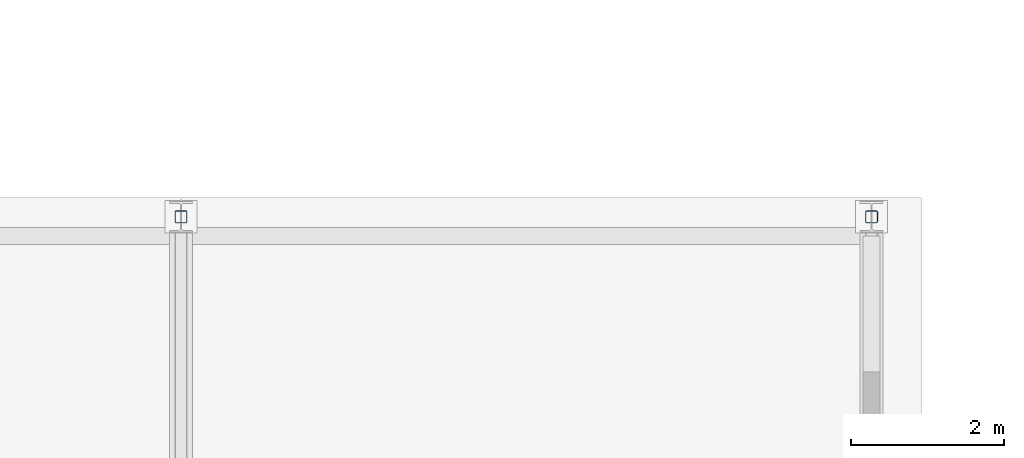
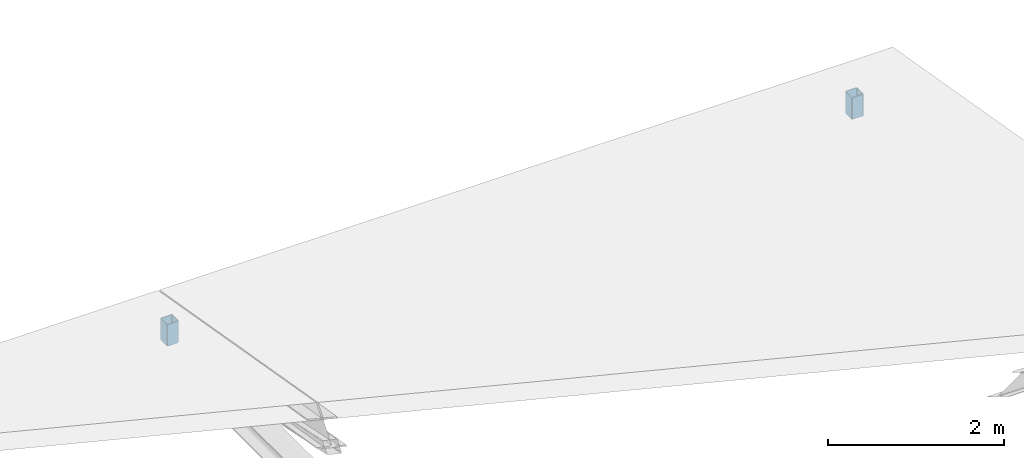
# One storey, part 143 of 182: 2 members.
"""IFC4 building model written with IfcOpenShell, lengths in metres."""

import ifcopenshell
import ifcopenshell.guid

model = None  # the IFC model being written
_history = None  # IfcOwnerHistory: only IFC2X3 demands one
_inside = {}  # id of a spatial element -> (the spatial element, [elements in it])
_under = {}  # id of a project, library or spatial element -> (it, [spatial elements below it])
_declared = {}  # id of a project -> (the project, [libraries it declares])
_typed = {}  # id of a type object -> (the type object, [elements of that type])
_made_of = {}  # id of a material, layer set ... -> (it, [elements and type objects made of it])


def new_model(schema):
    """Start an empty IFC model of exactly this schema.

    Asked for "IFC4X3", IfcOpenShell would pick the latest addendum, in which some entities
    have other attributes; the version numbers below select the first issue.
    IFC2X3 requires an IfcOwnerHistory on every rooted entity: one is made here for all.
    """
    global model, _history
    if schema == "IFC4X3":
        model = ifcopenshell.file(schema_version=(4, 3, 0, 0))
    else:
        model = ifcopenshell.file(schema=schema)
    _inside.clear()
    _under.clear()
    _declared.clear()
    _typed.clear()
    _made_of.clear()
    _history = None
    if model.schema == "IFC2X3":
        org = make("IfcOrganization", Name="unknown")
        user = make(
            "IfcPersonAndOrganization",
            ThePerson=make("IfcPerson", FamilyName="unknown"),
            TheOrganization=org,
        )
        app = make(
            "IfcApplication",
            ApplicationDeveloper=org,
            Version="unknown",
            ApplicationFullName="unknown",
            ApplicationIdentifier="unknown",
        )
        _history = make(
            "IfcOwnerHistory",
            OwningUser=user,
            OwningApplication=app,
            ChangeAction="ADDED",
            CreationDate=0,
        )
    return model


def make(cls, **values):
    """One entity of the class cls with the attributes given. An attribute that is None is left unset."""
    return model.create_entity(
        cls, **{name: value for name, value in values.items() if value is not None}
    )


def rooted(cls, **values):
    """An entity with a GlobalId (a new one), such as an element, a storey or a relation."""
    return make(cls, GlobalId=ifcopenshell.guid.new(), OwnerHistory=_history, **values)


def si_unit(unit_type, name, prefix=None):
    """IfcSIUnit, for example si_unit("LENGTHUNIT", "METRE", prefix="MILLI")."""
    return make("IfcSIUnit", UnitType=unit_type, Prefix=prefix, Name=name)


def assignment(units):
    """IfcUnitAssignment: the units of a project."""
    return None if units is None else make("IfcUnitAssignment", Units=units)


def point(xyz):
    """IfcCartesianPoint."""
    return None if xyz is None else make("IfcCartesianPoint", Coordinates=xyz)


def direction(xyz):
    """IfcDirection."""
    return None if xyz is None else make("IfcDirection", DirectionRatios=xyz)


def frame(location, z_axis=None, x_axis=None):
    """IfcAxis2Placement3D, a coordinate frame: its origin and axes. An axis left out is left unset."""
    return make(
        "IfcAxis2Placement3D",
        Location=point(location),
        Axis=direction(z_axis),
        RefDirection=direction(x_axis),
    )


def frame_2d(location, x_axis=None):
    """IfcAxis2Placement2D, a coordinate frame in the plane: its origin and x axis."""
    return make(
        "IfcAxis2Placement2D", Location=point(location), RefDirection=direction(x_axis)
    )


def origin():
    """The frame at (0, 0, 0) with its axes left unset."""
    return frame((0.0, 0.0, 0.0))


def origin_2d():
    """The frame at (0, 0) in the plane with its x axis left unset."""
    return frame_2d((0.0, 0.0))


def place(relative_to, where):
    """IfcLocalPlacement: puts the frame where relative to a parent placement (None: the world)."""
    return make(
        "IfcLocalPlacement", PlacementRelTo=relative_to, RelativePlacement=where
    )


def context(
    kind, dimensions, precision=None, world=None, true_north=None, identifier=None
):
    """IfcGeometricRepresentationContext, for example the 3D "Model" context."""
    return make(
        "IfcGeometricRepresentationContext",
        ContextIdentifier=identifier,
        ContextType=kind,
        CoordinateSpaceDimension=dimensions,
        Precision=precision,
        WorldCoordinateSystem=world,
        TrueNorth=true_north,
    )


def subcontext(parent, identifier, kind, view, scale=None):
    """IfcGeometricRepresentationSubContext, for example "Body" below "Model"."""
    return make(
        "IfcGeometricRepresentationSubContext",
        ContextIdentifier=identifier,
        ContextType=kind,
        ParentContext=parent,
        TargetScale=scale,
        TargetView=view,
    )


def project(units=None, contexts=None):
    """IfcProject with its units and contexts."""
    return rooted(
        "IfcProject",
        Name="project",
        RepresentationContexts=contexts,
        UnitsInContext=assignment(units),
    )


def spatial(cls, under=None, at=None, **own):
    """A site, building, storey or space (cls), placed at a placement, below another one or the project."""
    s = rooted(cls, ObjectPlacement=at, **own)
    if under is not None:
        _under.setdefault(under.id(), (under, []))[1].append(s)
    return s


def profile(cls, at=None, kind="AREA", **sizes):
    """A parametric profile (cls). Its sizes go by their IFC names, for example OverallWidth=200.0."""
    return make(cls, ProfileType=kind, Position=at, **sizes)


def hollow_rectangle(**sizes):
    """IfcRectangleHollowProfileDef."""
    return profile("IfcRectangleHollowProfileDef", **sizes)


def extrude(swept, where, along, depth):
    """IfcExtrudedAreaSolid: the profile swept, set in the frame where, extruded along a direction by depth."""
    return make(
        "IfcExtrudedAreaSolid",
        SweptArea=swept,
        Position=where,
        ExtrudedDirection=direction(along),
        Depth=depth,
    )


def shape(context_of_items, identifier, shape_type, items):
    """IfcShapeRepresentation: the items that make up one representation, for example the "Body"."""
    return make(
        "IfcShapeRepresentation",
        ContextOfItems=context_of_items,
        RepresentationIdentifier=identifier,
        RepresentationType=shape_type,
        Items=items,
    )


def material(Name=None, Category=None):
    """IfcMaterial."""
    return make("IfcMaterial", Name=Name, Category=Category)


def material_profile(
    of_material, cross_section, Name=None, Category=None, Priority=None
):
    """IfcMaterialProfile: a cross section and its material."""
    return make(
        "IfcMaterialProfile",
        Name=Name,
        Material=of_material,
        Profile=cross_section,
        Priority=Priority,
        Category=Category,
    )


def profile_set(profiles, Name=None, composite=None):
    """IfcMaterialProfileSet."""
    return make(
        "IfcMaterialProfileSet",
        Name=Name,
        MaterialProfiles=profiles,
        CompositeProfile=composite,
    )


def made_of(thing, what):
    """Note that an element or type object is made of a material, layer set ...; save() writes the relation."""
    if what is not None:
        _made_of.setdefault(what.id(), (what, []))[1].append(thing)
    return thing


def type_object(cls, material=None, **own):
    """A type object (cls), such as IfcWallType, which elements share."""
    return made_of(rooted(cls, **own), material)


def element(
    cls,
    number,
    at=None,
    inside=None,
    cuts=None,
    type_object=None,
    material=None,
    context=None,
    identifier="Body",
    shape_type=None,
    held_by="IfcProductDefinitionShape",
    body=None,
    shapes=None,
    **own,
):
    """One element of the class cls, such as IfcWall. Its Tag is "e" and its number.

    at: its placement. inside: the storey or other place that contains it. cuts: it is an
    opening in that element (IfcRelVoidsElement). A single representation is given by context,
    identifier, shape_type and body (its items); several are given by shapes. held_by: the class
    of the entity that holds the representations. save() writes the other relations.
    """
    e = rooted(cls, Tag="e%d" % number, ObjectPlacement=at, **own)
    if body is not None:
        shapes = [shape(context, identifier, shape_type, body)]
    if shapes is not None:
        e.Representation = make(held_by, Representations=shapes)
    if inside is not None:
        _inside.setdefault(inside.id(), (inside, []))[1].append(e)
    if cuts is not None:
        rooted(
            "IfcRelVoidsElement", RelatingBuildingElement=cuts, RelatedOpeningElement=e
        )
    if type_object is not None:
        _typed.setdefault(type_object.id(), (type_object, []))[1].append(e)
    return made_of(e, material)


def aggregate(whole, parts):
    """IfcRelAggregates: a whole, such as a stair, and the parts it consists of."""
    return rooted("IfcRelAggregates", RelatingObject=whole, RelatedObjects=parts)


def save(model, path):
    """Write the relations noted so far, then the file.

    IfcRelAggregates (storeys below a building ...), IfcRelContainedInSpatialStructure (elements
    in a storey), IfcRelDefinesByType, IfcRelAssociatesMaterial and IfcRelDeclares: one each for
    every whole, place, type object, material and project.
    """
    for whole, parts in _under.values():
        aggregate(whole, parts)
    for where, things in _inside.values():
        rooted(
            "IfcRelContainedInSpatialStructure",
            RelatedElements=things,
            RelatingStructure=where,
        )
    for kind, things in _typed.values():
        rooted("IfcRelDefinesByType", RelatedObjects=things, RelatingType=kind)
    for what, things in _made_of.values():
        rooted("IfcRelAssociatesMaterial", RelatedObjects=things, RelatingMaterial=what)
    for by, libraries in _declared.values():
        rooted("IfcRelDeclares", RelatingContext=by, RelatedDefinitions=libraries)
    model.write(path)


model = new_model("IFC4")

# Units and contexts
model_context = context("Model", 3, precision=1e-05, world=origin(), true_north=direction((0.0, 1.0)))
body_context = subcontext(model_context, "Body", "Model", "MODEL_VIEW")
ifc_project = project(units=[si_unit("LENGTHUNIT", "METRE"), si_unit("AREAUNIT", "SQUARE_METRE"), si_unit("VOLUMEUNIT", "CUBIC_METRE"), si_unit("PLANEANGLEUNIT", "RADIAN"), si_unit("MASSUNIT", "GRAM", prefix="KILO")], contexts=[model_context])

# Site, building, storey
site_placement = place(None, origin())
site = spatial("IfcSite", under=ifc_project, at=site_placement, CompositionType="ELEMENT")
building_placement = place(site_placement, origin())
building = spatial("IfcBuilding", under=site, at=building_placement, Name="Chiffa Square Polytechnic", CompositionType="ELEMENT")
storey_placement = place(building_placement, frame((0.0, 0.0, 9.60009765625)))
storey = spatial("IfcBuildingStorey", under=building, at=storey_placement, Name="L02", CompositionType="ELEMENT", Elevation=9.60009765625)

# Members
ifc_material = material(Name="Steel S355", Category="steel")
ifc_material_profile = material_profile(ifc_material, hollow_rectangle(XDim=0.159912109375, YDim=0.159912109375, WallThickness=0.008056640625, InnerFilletRadius=0.008056640625, OuterFilletRadius=0.01611328125, at=origin_2d()), Name="RHS 160x160x8")
ifc_profile_set = profile_set([ifc_material_profile], Name="Steel S355")
member_type = type_object("IfcMemberType", Name="MEM-WEB-RHS160", PredefinedType="MEMBER", material=ifc_profile_set)
for number, where, z_axis, x_axis, name in (
    (1, (166.199951171875, 94.199951171875, 0.349853515625), (0.0, 0.0, 1.0), (1.0, 0.0, 0.0), "Workshop north shed end post TWV-V2-SH-07"),
    (2, (175.199951171875, 94.199951171875, 0.349853515625), (0.0, 0.0, 1.0), (1.0, 0.0, 0.0), "Workshop north shed end post TWV-V2-SH-08"),
):
    element("IfcMember", number, at=place(storey_placement, frame(where, z_axis=z_axis, x_axis=x_axis)), inside=storey, type_object=member_type, Name=name, PredefinedType="MEMBER", context=body_context, shape_type="SweptSolid", body=[
        extrude(hollow_rectangle(XDim=0.159912109375, YDim=0.159912109375, WallThickness=0.008056640625, InnerFilletRadius=0.008056640625, OuterFilletRadius=0.01611328125, at=origin_2d()), origin(), (0.0, 0.0, 1.0), 0.300048828125),
    ])

save(model, "model.ifc")
